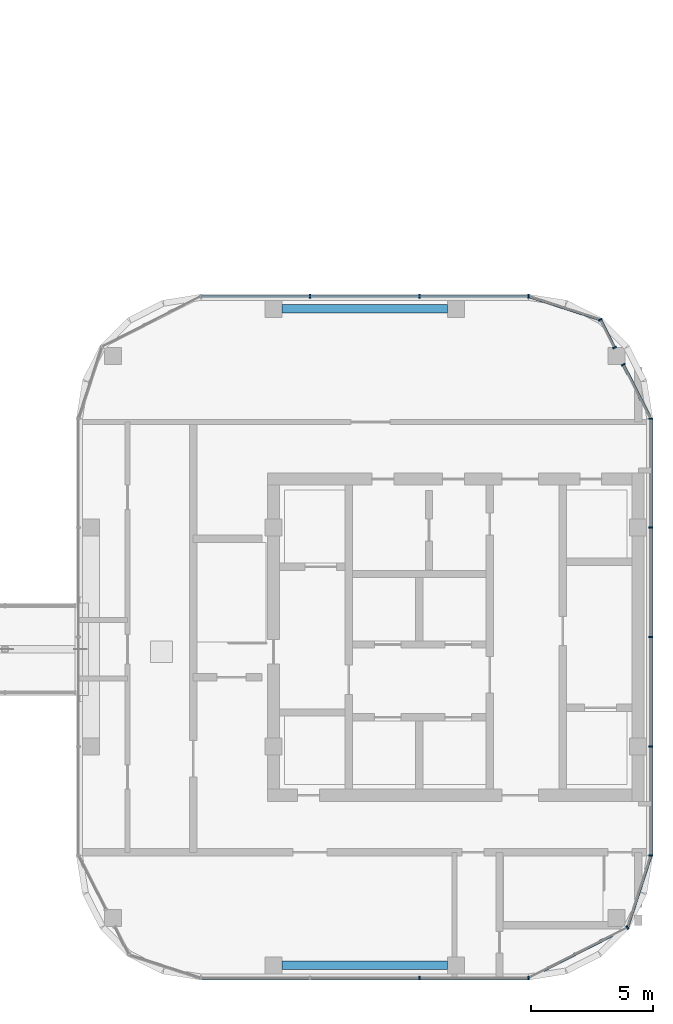
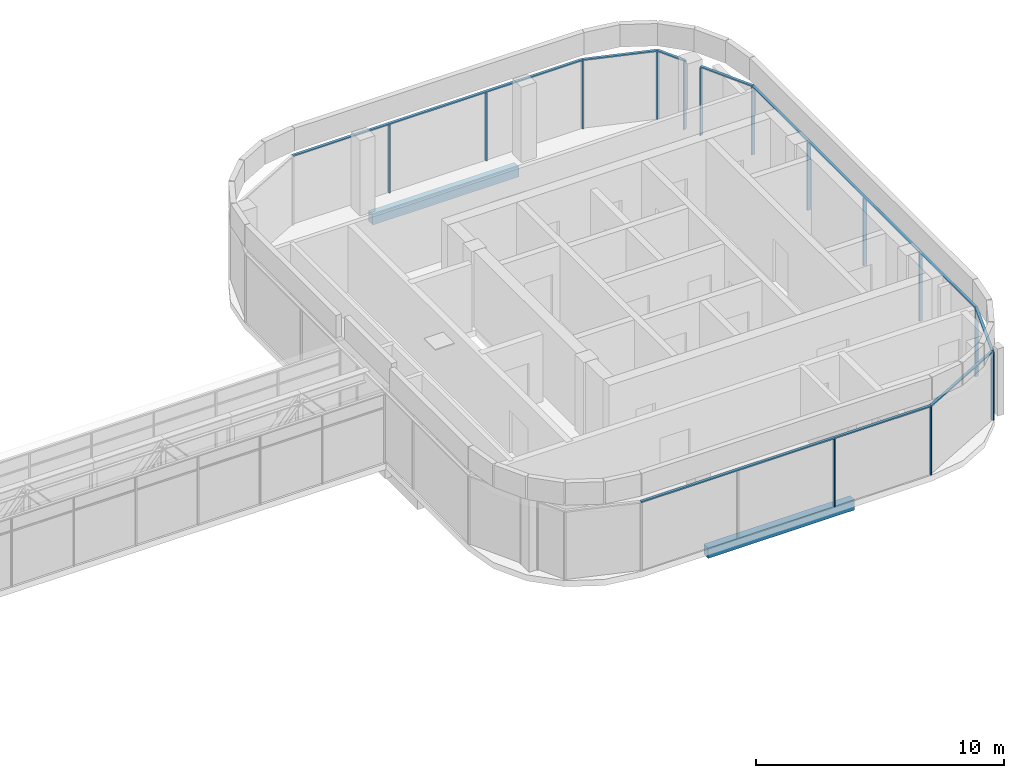
# One storey, part 9 of 33: 22 members, 2 beams, 6 elements without a shape of their own.
"""IFC4 building model written with IfcOpenShell, lengths in metres."""

from ifc_helpers import new_model, si_unit, direction, frame, origin, origin_2d, place, context, subcontext, project, spatial, rectangle, extrude, material, material_profile, profile_set, type_object, element, aggregate, save


model = new_model("IFC4")

# Units and contexts
model_context = context("Model", 3, precision=1e-05, world=origin(), true_north=direction((0.0, 1.0)))
body_context = subcontext(model_context, "Body", "Model", "MODEL_VIEW")
ifc_project = project(units=[si_unit("LENGTHUNIT", "METRE"), si_unit("AREAUNIT", "SQUARE_METRE"), si_unit("VOLUMEUNIT", "CUBIC_METRE"), si_unit("PLANEANGLEUNIT", "RADIAN"), si_unit("MASSUNIT", "GRAM", prefix="KILO")], contexts=[model_context])

# Site, building, storey
site_placement = place(None, origin())
site = spatial("IfcSite", under=ifc_project, at=site_placement, CompositionType="ELEMENT")
building_placement = place(site_placement, origin())
building = spatial("IfcBuilding", under=site, at=building_placement, Name="Ogive Portal Towers", CompositionType="ELEMENT")
storey_placement = place(building_placement, frame((0.0, 0.0, 101.89990234375)))
storey = spatial("IfcBuildingStorey", under=building, at=storey_placement, Name="L24", CompositionType="ELEMENT", Elevation=101.89990234375)

# Curtain wall, members
ifc_material_1 = material(Name="Glass, clear low-iron insulated glazing", Category="glass")
curtain_wall_type = type_object("IfcCurtainWallType", Name="CW RESIDENCES RIBBON", PredefinedType="NOTDEFINED", material=ifc_material_1)
curtain_wall_1_placement = place(storey_placement, origin())
curtain_wall_1 = element("IfcCurtainWall", 1, at=curtain_wall_1_placement, inside=storey, type_object=curtain_wall_type, Name="B:L24:f02:cw0", PredefinedType="NOTDEFINED")
ifc_material_2 = material(Name="Aluminium 6063 anodised", Category="aluminium")
ifc_material_profile_1 = material_profile(ifc_material_2, rectangle(XDim=0.159912109375, YDim=0.06005859375, at=origin_2d()), Name="AL 60x160")
ifc_profile_set_1 = profile_set([ifc_material_profile_1], Name="Aluminium 6063 anodised")
member_type_1 = type_object("IfcMemberType", Name="CW MULLION 60x160", PredefinedType="MULLION", material=ifc_profile_set_1)
member_1_placement = place(storey_placement, frame((135.0, 16.97998046875, 0.0), z_axis=(0.0, 0.0, 1.0), x_axis=(0.0, 1.0, 0.0)))
member_1 = element("IfcMember", 2, at=member_1_placement, type_object=member_type_1, Name="mullion", PredefinedType="MULLION", context=body_context, shape_type="SweptSolid", body=[
    extrude(rectangle(XDim=0.159912109375, YDim=0.06005859375, at=origin_2d()), origin(), (0.0, 0.0, 1.0), 3.340087890625),
])
member_2_placement = place(storey_placement, frame((139.480712890625, 16.97998046875, 0.0), z_axis=(0.0, 0.0, 1.0), x_axis=(0.0, 1.0, 0.0)))
member_2 = element("IfcMember", 3, at=member_2_placement, type_object=member_type_1, Name="mullion", PredefinedType="MULLION", context=body_context, shape_type="SweptSolid", body=[
    extrude(rectangle(XDim=0.159912109375, YDim=0.06005859375, at=origin_2d()), origin(), (0.0, 0.0, 1.0), 3.340087890625),
])

curtain_wall_2_placement = place(storey_placement, origin())
curtain_wall_2 = element("IfcCurtainWall", 4, at=curtain_wall_2_placement, inside=storey, type_object=curtain_wall_type, Name="B:L24:f05:cw0", PredefinedType="NOTDEFINED")
member_3_placement = place(storey_placement, frame((144.52001953125, 22.0126953125, 0.0), z_axis=(0.0, 0.0, 1.0), x_axis=(-1.0, 0.0, 0.0)))
member_3 = element("IfcMember", 5, at=member_3_placement, type_object=member_type_1, Name="mullion", PredefinedType="MULLION", context=body_context, shape_type="SweptSolid", body=[
    extrude(rectangle(XDim=0.159912109375, YDim=0.06005859375, at=origin_2d()), origin(), (0.0, 0.0, 1.0), 3.340087890625),
])
member_4_placement = place(storey_placement, frame((144.52001953125, 26.5, 0.0), z_axis=(0.0, 0.0, 1.0), x_axis=(-1.0, 0.0, 0.0)))
member_4 = element("IfcMember", 6, at=member_4_placement, type_object=member_type_1, Name="mullion", PredefinedType="MULLION", context=body_context, shape_type="SweptSolid", body=[
    extrude(rectangle(XDim=0.159912109375, YDim=0.06005859375, at=origin_2d()), origin(), (0.0, 0.0, 1.0), 3.340087890625),
])
member_5_placement = place(storey_placement, frame((144.52001953125, 31.0, 0.0), z_axis=(0.0, 0.0, 1.0), x_axis=(-1.0, 0.0, 0.0)))
member_5 = element("IfcMember", 7, at=member_5_placement, type_object=member_type_1, Name="mullion", PredefinedType="MULLION", context=body_context, shape_type="SweptSolid", body=[
    extrude(rectangle(XDim=0.159912109375, YDim=0.06005859375, at=origin_2d()), origin(), (0.0, 0.0, 1.0), 3.340087890625),
])
member_6_placement = place(storey_placement, frame((144.52001953125, 35.5, 0.0), z_axis=(0.0, 0.0, 1.0), x_axis=(-1.0, 0.0, 0.0)))
member_6 = element("IfcMember", 8, at=member_6_placement, type_object=member_type_1, Name="mullion", PredefinedType="MULLION", context=body_context, shape_type="SweptSolid", body=[
    extrude(rectangle(XDim=0.159912109375, YDim=0.06005859375, at=origin_2d()), origin(), (0.0, 0.0, 1.0), 3.340087890625),
])
member_7_placement = place(storey_placement, frame((144.52001953125, 39.980712890625, 0.0), z_axis=(0.0, 0.0, 1.0), x_axis=(-1.0, 0.0, 0.0)))
member_7 = element("IfcMember", 9, at=member_7_placement, type_object=member_type_1, Name="mullion", PredefinedType="MULLION", context=body_context, shape_type="SweptSolid", body=[
    extrude(rectangle(XDim=0.159912109375, YDim=0.06005859375, at=origin_2d()), origin(), (0.0, 0.0, 1.0), 3.340087890625),
])

curtain_wall_3_placement = place(storey_placement, origin())
curtain_wall_3 = element("IfcCurtainWall", 10, at=curtain_wall_3_placement, inside=storey, type_object=curtain_wall_type, Name="B:L24:f08:cw0", PredefinedType="NOTDEFINED")
member_8_placement = place(storey_placement, frame((139.4873046875, 45.02001953125, 0.0), z_axis=(0.0, 0.0, 1.0), x_axis=(0.0, -1.0, 0.0)))
member_8 = element("IfcMember", 11, at=member_8_placement, type_object=member_type_1, Name="mullion", PredefinedType="MULLION", context=body_context, shape_type="SweptSolid", body=[
    extrude(rectangle(XDim=0.159912109375, YDim=0.06005859375, at=origin_2d()), origin(), (0.0, 0.0, 1.0), 3.340087890625),
])
member_9_placement = place(storey_placement, frame((135.0, 45.02001953125, 0.0), z_axis=(0.0, 0.0, 1.0), x_axis=(0.0, -1.0, 0.0)))
member_9 = element("IfcMember", 12, at=member_9_placement, type_object=member_type_1, Name="mullion", PredefinedType="MULLION", context=body_context, shape_type="SweptSolid", body=[
    extrude(rectangle(XDim=0.159912109375, YDim=0.06005859375, at=origin_2d()), origin(), (0.0, 0.0, 1.0), 3.340087890625),
])
member_10_placement = place(storey_placement, frame((130.5, 45.02001953125, 0.0), z_axis=(0.0, 0.0, 1.0), x_axis=(0.0, -1.0, 0.0)))
member_10 = element("IfcMember", 13, at=member_10_placement, type_object=member_type_1, Name="mullion", PredefinedType="MULLION", context=body_context, shape_type="SweptSolid", body=[
    extrude(rectangle(XDim=0.159912109375, YDim=0.06005859375, at=origin_2d()), origin(), (0.0, 0.0, 1.0), 3.340087890625),
])

# Curtain wall, member
curtain_wall_4_placement = place(storey_placement, origin())
curtain_wall_4 = element("IfcCurtainWall", 14, at=curtain_wall_4_placement, inside=storey, type_object=curtain_wall_type, Name="B:L24:f03:cwa", PredefinedType="NOTDEFINED")
member_11_placement = place(storey_placement, frame((143.56005859375, 19.05859375, 0.0), z_axis=(0.0, 0.0, 1.0), x_axis=(-0.45399049974, 0.891006524188, 0.0)))
member_11 = element("IfcMember", 15, at=member_11_placement, type_object=member_type_1, Name="mullion", PredefinedType="MULLION", context=body_context, shape_type="SweptSolid", body=[
    extrude(rectangle(XDim=0.159912109375, YDim=0.06005859375, at=origin_2d()), origin(), (0.0, 0.0, 1.0), 3.340087890625),
])

curtain_wall_5_placement = place(storey_placement, origin())
curtain_wall_5 = element("IfcCurtainWall", 16, at=curtain_wall_5_placement, inside=storey, type_object=curtain_wall_type, Name="B:L24:f06:cwa~0", PredefinedType="NOTDEFINED")
member_12_placement = place(storey_placement, frame((143.38525390625, 42.2080078125, 0.0), z_axis=(0.0, 0.0, 1.0), x_axis=(-0.891006524188, -0.45399049974, 0.0)))
member_12 = element("IfcMember", 17, at=member_12_placement, type_object=member_type_1, Name="mullion", PredefinedType="MULLION", context=body_context, shape_type="SweptSolid", body=[
    extrude(rectangle(XDim=0.159912109375, YDim=0.06005859375, at=origin_2d()), origin(), (0.0, 0.0, 1.0), 3.340087890625),
])

# Curtain wall, members
curtain_wall_6_placement = place(storey_placement, origin())
curtain_wall_6 = element("IfcCurtainWall", 18, at=curtain_wall_6_placement, inside=storey, type_object=curtain_wall_type, Name="B:L24:f06:cwa~1", PredefinedType="NOTDEFINED")
member_13_placement = place(storey_placement, frame((143.028564453125, 42.907958984375, 0.0), z_axis=(0.0, 0.0, 1.0), x_axis=(-0.891006524188, -0.45399049974, 0.0)))
member_13 = element("IfcMember", 19, at=member_13_placement, type_object=member_type_1, Name="mullion", PredefinedType="MULLION", context=body_context, shape_type="SweptSolid", body=[
    extrude(rectangle(XDim=0.159912109375, YDim=0.06005859375, at=origin_2d()), origin(), (0.0, 0.0, 1.0), 3.340087890625),
])
member_14_placement = place(storey_placement, frame((142.44140625, 44.06005859375, 0.0), z_axis=(0.0, 0.0, 1.0), x_axis=(-0.891006524188, -0.45399049974, 0.0)))
member_14 = element("IfcMember", 20, at=member_14_placement, type_object=member_type_1, Name="mullion", PredefinedType="MULLION", context=body_context, shape_type="SweptSolid", body=[
    extrude(rectangle(XDim=0.159912109375, YDim=0.06005859375, at=origin_2d()), origin(), (0.0, 0.0, 1.0), 3.340087890625),
])

# Member
ifc_material_profile_2 = material_profile(ifc_material_2, rectangle(XDim=0.1201171875, YDim=0.06005859375, at=origin_2d()), Name="AL 120x60")
ifc_profile_set_2 = profile_set([ifc_material_profile_2], Name="Aluminium 6063 anodised")
member_type_2 = type_object("IfcMemberType", Name="CW TRANSOM 60x120", PredefinedType="USERDEFINED", material=ifc_profile_set_2)
member_15_placement = place(storey_placement, frame((126.0126953125, 16.97998046875, 3.3701171875), z_axis=(1.0, 0.0, 0.0), x_axis=(0.0, 1.0, 0.0)))
member_15 = element("IfcMember", 21, at=member_15_placement, type_object=member_type_2, Name="transom", ObjectType="TRANSOM", PredefinedType="USERDEFINED", context=body_context, shape_type="SweptSolid", body=[
    extrude(rectangle(XDim=0.1201171875, YDim=0.06005859375, at=origin_2d()), origin(), (0.0, 0.0, 1.0), 13.468017578125),
])

aggregate(curtain_wall_1, [member_15, member_1, member_2])

member_16_placement = place(storey_placement, frame((144.52001953125, 22.0126953125, 3.3701171875), z_axis=(0.0, 1.0, 0.0), x_axis=(-1.0, 0.0, 0.0)))
member_16 = element("IfcMember", 22, at=member_16_placement, type_object=member_type_2, Name="transom", ObjectType="TRANSOM", PredefinedType="USERDEFINED", context=body_context, shape_type="SweptSolid", body=[
    extrude(rectangle(XDim=0.1201171875, YDim=0.06005859375, at=origin_2d()), origin(), (0.0, 0.0, 1.0), 17.968017578125),
])

aggregate(curtain_wall_2, [member_16, member_3, member_4, member_5, member_6, member_7])

member_17_placement = place(storey_placement, frame((139.4873046875, 45.02001953125, 3.3701171875), z_axis=(-1.0, 0.0, 0.0), x_axis=(0.0, -1.0, 0.0)))
member_17 = element("IfcMember", 23, at=member_17_placement, type_object=member_type_2, Name="transom", ObjectType="TRANSOM", PredefinedType="USERDEFINED", context=body_context, shape_type="SweptSolid", body=[
    extrude(rectangle(XDim=0.1201171875, YDim=0.06005859375, at=origin_2d()), origin(), (0.0, 0.0, 1.0), 13.468017578125),
])

aggregate(curtain_wall_3, [member_17, member_8, member_9, member_10])

member_18_placement = place(storey_placement, frame((139.480712890625, 16.97998046875, 3.3701171875), z_axis=(0.890999206066, 0.454004862077, 0.0), x_axis=(-0.454004862077, 0.890999206066, 0.0)))
member_18 = element("IfcMember", 24, at=member_18_placement, type_object=member_type_2, Name="transom", ObjectType="TRANSOM", PredefinedType="USERDEFINED", context=body_context, shape_type="SweptSolid", body=[
    extrude(rectangle(XDim=0.1201171875, YDim=0.06005859375, at=origin_2d()), origin(), (0.0, 0.0, 1.0), 4.578369140625),
])

member_19_placement = place(storey_placement, frame((143.56005859375, 19.05859375, 3.3701171875), z_axis=(0.309050527153, 0.951045620181, 0.0), x_axis=(-0.951045620181, 0.309050527153, 0.0)))
member_19 = element("IfcMember", 25, at=member_19_placement, type_object=member_type_2, Name="transom", ObjectType="TRANSOM", PredefinedType="USERDEFINED", context=body_context, shape_type="SweptSolid", body=[
    extrude(rectangle(XDim=0.1201171875, YDim=0.06005859375, at=origin_2d()), origin(), (0.0, 0.0, 1.0), 3.106201171875),
])

aggregate(curtain_wall_4, [member_18, member_19, member_11])

member_20_placement = place(storey_placement, frame((144.52001953125, 39.980712890625, 3.3701171875), z_axis=(-0.453959432004, 0.891022353308, 0.0), x_axis=(-0.891022353308, -0.453959432004, 0.0)))
member_20 = element("IfcMember", 26, at=member_20_placement, type_object=member_type_2, Name="transom", ObjectType="TRANSOM", PredefinedType="USERDEFINED", context=body_context, shape_type="SweptSolid", body=[
    extrude(rectangle(XDim=0.1201171875, YDim=0.06005859375, at=origin_2d()), origin(), (0.0, 0.0, 1.0), 2.499755859375),
])

aggregate(curtain_wall_5, [member_20, member_12])

member_21_placement = place(storey_placement, frame((143.028564453125, 42.907958984375, 3.3701171875), z_axis=(-0.454072847858, 0.890964560933, 0.0), x_axis=(-0.890964560933, -0.454072847858, 0.0)))
member_21 = element("IfcMember", 27, at=member_21_placement, type_object=member_type_2, Name="transom", ObjectType="TRANSOM", PredefinedType="USERDEFINED", context=body_context, shape_type="SweptSolid", body=[
    extrude(rectangle(XDim=0.1201171875, YDim=0.06005859375, at=origin_2d()), origin(), (0.0, 0.0, 1.0), 1.293212890625),
])

member_22_placement = place(storey_placement, frame((142.44140625, 44.06005859375, 3.3701171875), z_axis=(-0.951045620181, 0.309050527153, 0.0), x_axis=(-0.309050527153, -0.951045620181, 0.0)))
member_22 = element("IfcMember", 28, at=member_22_placement, type_object=member_type_2, Name="transom", ObjectType="TRANSOM", PredefinedType="USERDEFINED", context=body_context, shape_type="SweptSolid", body=[
    extrude(rectangle(XDim=0.1201171875, YDim=0.06005859375, at=origin_2d()), origin(), (0.0, 0.0, 1.0), 3.106201171875),
])

aggregate(curtain_wall_6, [member_21, member_22, member_13, member_14])

# Beams
ifc_material_3 = material(Name="Concrete C50/60", Category="concrete")
ifc_material_profile_3 = material_profile(ifc_material_3, rectangle(XDim=0.35009765625, YDim=0.5, at=origin_2d()), Name="RC 350x500")
ifc_profile_set_3 = profile_set([ifc_material_profile_3], Name="Concrete C50/60")
beam_type = type_object("IfcBeamType", Name="SPANDREL BEAM RC 350x500", PredefinedType="BEAM", material=ifc_profile_set_3)
for number, where, z_axis, x_axis, name in (
    (29, (129.35009765625, 17.5, -0.5498046875), (1.0, 0.0, 0.0), (0.0, 1.0, 0.0), "Spandrel beam L24"),
    (30, (136.14990234375, 44.5, -0.5498046875), (-1.0, 0.0, 0.0), (0.0, -1.0, 0.0), "Spandrel beam L24"),
):
    element("IfcBeam", number, at=place(storey_placement, frame(where, z_axis=z_axis, x_axis=x_axis)), inside=storey, type_object=beam_type, Name=name, PredefinedType="BEAM", context=body_context, shape_type="SweptSolid", body=[
        extrude(rectangle(XDim=0.35009765625, YDim=0.5, at=origin_2d()), origin(), (0.0, 0.0, 1.0), 6.7998046875),
    ])

save(model, "model.ifc")
